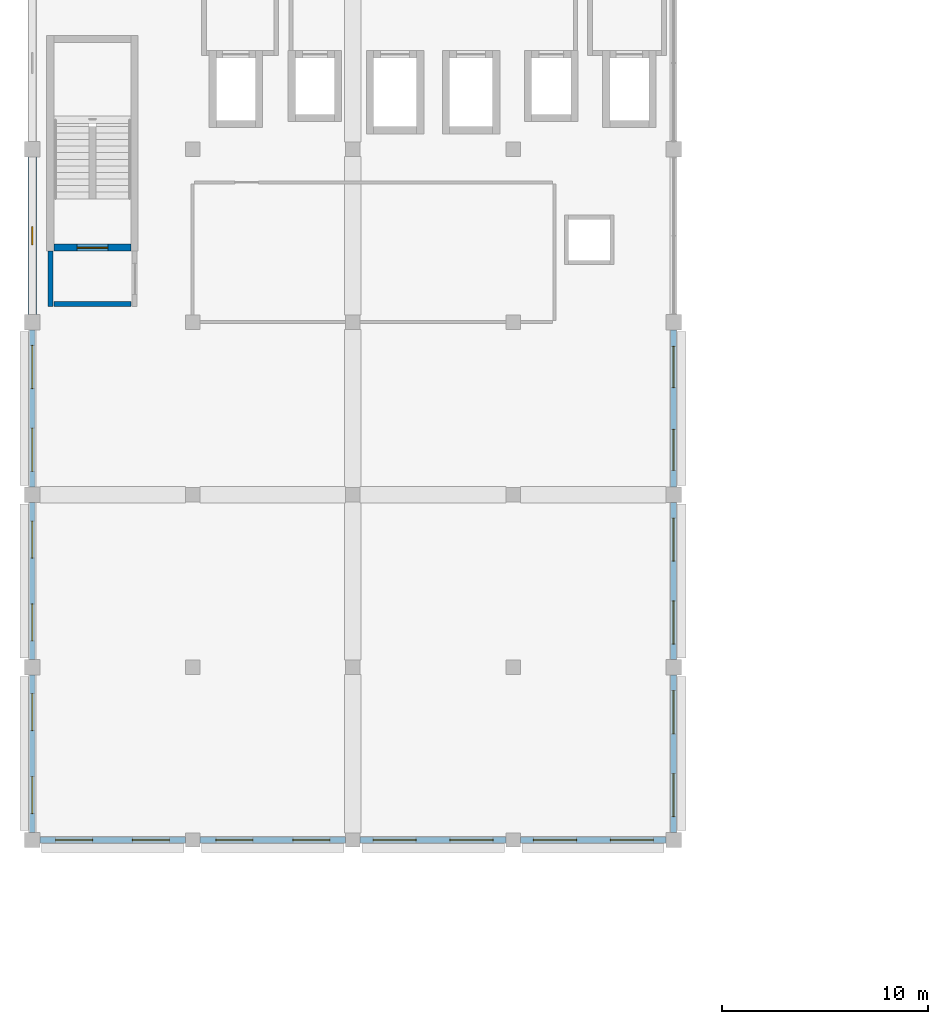
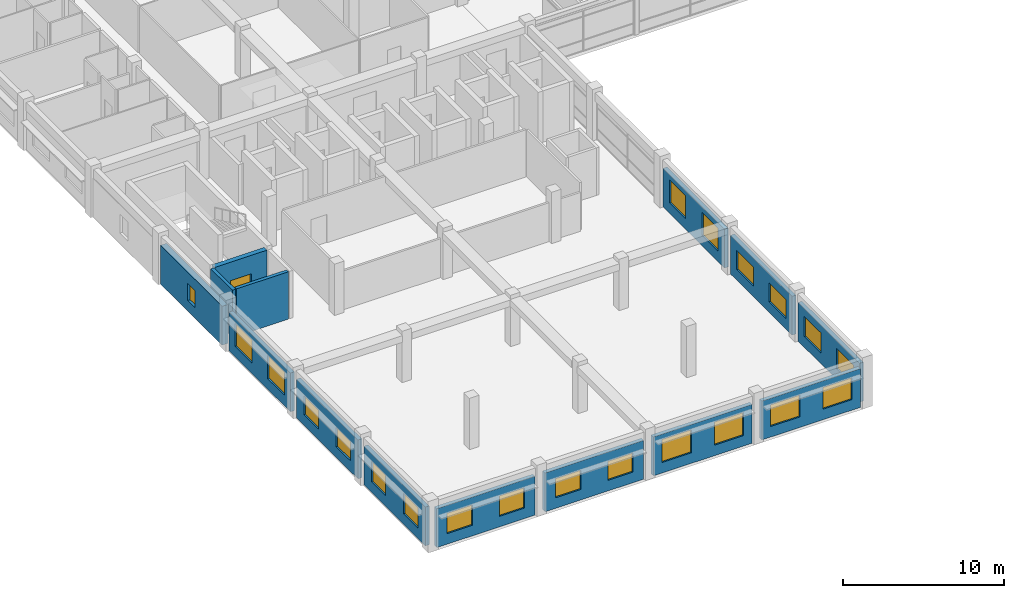
# One storey, part 47 of 72: 21 windows, 14 walls, 1 door, 22 openings.
"""IFC4 building model written with IfcOpenShell, lengths in metres."""

import ifcopenshell
import ifcopenshell.guid

model = None  # the IFC model being written
_history = None  # IfcOwnerHistory: only IFC2X3 demands one
_inside = {}  # id of a spatial element -> (the spatial element, [elements in it])
_under = {}  # id of a project, library or spatial element -> (it, [spatial elements below it])
_declared = {}  # id of a project -> (the project, [libraries it declares])
_typed = {}  # id of a type object -> (the type object, [elements of that type])
_made_of = {}  # id of a material, layer set ... -> (it, [elements and type objects made of it])


def new_model(schema):
    """Start an empty IFC model of exactly this schema.

    Asked for "IFC4X3", IfcOpenShell would pick the latest addendum, in which some entities
    have other attributes; the version numbers below select the first issue.
    IFC2X3 requires an IfcOwnerHistory on every rooted entity: one is made here for all.
    """
    global model, _history
    if schema == "IFC4X3":
        model = ifcopenshell.file(schema_version=(4, 3, 0, 0))
    else:
        model = ifcopenshell.file(schema=schema)
    _inside.clear()
    _under.clear()
    _declared.clear()
    _typed.clear()
    _made_of.clear()
    _history = None
    if model.schema == "IFC2X3":
        org = make("IfcOrganization", Name="unknown")
        user = make(
            "IfcPersonAndOrganization",
            ThePerson=make("IfcPerson", FamilyName="unknown"),
            TheOrganization=org,
        )
        app = make(
            "IfcApplication",
            ApplicationDeveloper=org,
            Version="unknown",
            ApplicationFullName="unknown",
            ApplicationIdentifier="unknown",
        )
        _history = make(
            "IfcOwnerHistory",
            OwningUser=user,
            OwningApplication=app,
            ChangeAction="ADDED",
            CreationDate=0,
        )
    return model


def make(cls, **values):
    """One entity of the class cls with the attributes given. An attribute that is None is left unset."""
    return model.create_entity(
        cls, **{name: value for name, value in values.items() if value is not None}
    )


def rooted(cls, **values):
    """An entity with a GlobalId (a new one), such as an element, a storey or a relation."""
    return make(cls, GlobalId=ifcopenshell.guid.new(), OwnerHistory=_history, **values)


def si_unit(unit_type, name, prefix=None):
    """IfcSIUnit, for example si_unit("LENGTHUNIT", "METRE", prefix="MILLI")."""
    return make("IfcSIUnit", UnitType=unit_type, Prefix=prefix, Name=name)


def assignment(units):
    """IfcUnitAssignment: the units of a project."""
    return None if units is None else make("IfcUnitAssignment", Units=units)


def point(xyz):
    """IfcCartesianPoint."""
    return None if xyz is None else make("IfcCartesianPoint", Coordinates=xyz)


def direction(xyz):
    """IfcDirection."""
    return None if xyz is None else make("IfcDirection", DirectionRatios=xyz)


def frame(location, z_axis=None, x_axis=None):
    """IfcAxis2Placement3D, a coordinate frame: its origin and axes. An axis left out is left unset."""
    return make(
        "IfcAxis2Placement3D",
        Location=point(location),
        Axis=direction(z_axis),
        RefDirection=direction(x_axis),
    )


def frame_2d(location, x_axis=None):
    """IfcAxis2Placement2D, a coordinate frame in the plane: its origin and x axis."""
    return make(
        "IfcAxis2Placement2D", Location=point(location), RefDirection=direction(x_axis)
    )


def origin():
    """The frame at (0, 0, 0) with its axes left unset."""
    return frame((0.0, 0.0, 0.0))


def place(relative_to, where):
    """IfcLocalPlacement: puts the frame where relative to a parent placement (None: the world)."""
    return make(
        "IfcLocalPlacement", PlacementRelTo=relative_to, RelativePlacement=where
    )


def context(
    kind, dimensions, precision=None, world=None, true_north=None, identifier=None
):
    """IfcGeometricRepresentationContext, for example the 3D "Model" context."""
    return make(
        "IfcGeometricRepresentationContext",
        ContextIdentifier=identifier,
        ContextType=kind,
        CoordinateSpaceDimension=dimensions,
        Precision=precision,
        WorldCoordinateSystem=world,
        TrueNorth=true_north,
    )


def subcontext(parent, identifier, kind, view, scale=None):
    """IfcGeometricRepresentationSubContext, for example "Body" below "Model"."""
    return make(
        "IfcGeometricRepresentationSubContext",
        ContextIdentifier=identifier,
        ContextType=kind,
        ParentContext=parent,
        TargetScale=scale,
        TargetView=view,
    )


def project(units=None, contexts=None):
    """IfcProject with its units and contexts."""
    return rooted(
        "IfcProject",
        Name="project",
        RepresentationContexts=contexts,
        UnitsInContext=assignment(units),
    )


def spatial(cls, under=None, at=None, **own):
    """A site, building, storey or space (cls), placed at a placement, below another one or the project."""
    s = rooted(cls, ObjectPlacement=at, **own)
    if under is not None:
        _under.setdefault(under.id(), (under, []))[1].append(s)
    return s


def profile(cls, at=None, kind="AREA", **sizes):
    """A parametric profile (cls). Its sizes go by their IFC names, for example OverallWidth=200.0."""
    return make(cls, ProfileType=kind, Position=at, **sizes)


def rectangle(**sizes):
    """IfcRectangleProfileDef."""
    return profile("IfcRectangleProfileDef", **sizes)


def extrude(swept, where, along, depth):
    """IfcExtrudedAreaSolid: the profile swept, set in the frame where, extruded along a direction by depth."""
    return make(
        "IfcExtrudedAreaSolid",
        SweptArea=swept,
        Position=where,
        ExtrudedDirection=direction(along),
        Depth=depth,
    )


def shape(context_of_items, identifier, shape_type, items):
    """IfcShapeRepresentation: the items that make up one representation, for example the "Body"."""
    return make(
        "IfcShapeRepresentation",
        ContextOfItems=context_of_items,
        RepresentationIdentifier=identifier,
        RepresentationType=shape_type,
        Items=items,
    )


def material(Name=None, Category=None):
    """IfcMaterial."""
    return make("IfcMaterial", Name=Name, Category=Category)


def layer(
    of_material, thickness, ventilated=None, Name=None, Category=None, Priority=None
):
    """IfcMaterialLayer: one layer of a wall or slab, of a material (None: an air gap)."""
    return make(
        "IfcMaterialLayer",
        Material=of_material,
        LayerThickness=thickness,
        IsVentilated=ventilated,
        Name=Name,
        Category=Category,
        Priority=Priority,
    )


def layer_set(layers, Name=None):
    """IfcMaterialLayerSet."""
    return make("IfcMaterialLayerSet", MaterialLayers=layers, LayerSetName=Name)


def made_of(thing, what):
    """Note that an element or type object is made of a material, layer set ...; save() writes the relation."""
    if what is not None:
        _made_of.setdefault(what.id(), (what, []))[1].append(thing)
    return thing


def type_object(cls, material=None, **own):
    """A type object (cls), such as IfcWallType, which elements share."""
    return made_of(rooted(cls, **own), material)


def element(
    cls,
    number,
    at=None,
    inside=None,
    cuts=None,
    type_object=None,
    material=None,
    context=None,
    identifier="Body",
    shape_type=None,
    held_by="IfcProductDefinitionShape",
    body=None,
    shapes=None,
    **own,
):
    """One element of the class cls, such as IfcWall. Its Tag is "e" and its number.

    at: its placement. inside: the storey or other place that contains it. cuts: it is an
    opening in that element (IfcRelVoidsElement). A single representation is given by context,
    identifier, shape_type and body (its items); several are given by shapes. held_by: the class
    of the entity that holds the representations. save() writes the other relations.
    """
    e = rooted(cls, Tag="e%d" % number, ObjectPlacement=at, **own)
    if body is not None:
        shapes = [shape(context, identifier, shape_type, body)]
    if shapes is not None:
        e.Representation = make(held_by, Representations=shapes)
    if inside is not None:
        _inside.setdefault(inside.id(), (inside, []))[1].append(e)
    if cuts is not None:
        rooted(
            "IfcRelVoidsElement", RelatingBuildingElement=cuts, RelatedOpeningElement=e
        )
    if type_object is not None:
        _typed.setdefault(type_object.id(), (type_object, []))[1].append(e)
    return made_of(e, material)


def fill(opening, filler):
    """IfcRelFillsElement: the door or window that sits in an opening."""
    return rooted(
        "IfcRelFillsElement",
        RelatingOpeningElement=opening,
        RelatedBuildingElement=filler,
    )


def aggregate(whole, parts):
    """IfcRelAggregates: a whole, such as a stair, and the parts it consists of."""
    return rooted("IfcRelAggregates", RelatingObject=whole, RelatedObjects=parts)


def save(model, path):
    """Write the relations noted so far, then the file.

    IfcRelAggregates (storeys below a building ...), IfcRelContainedInSpatialStructure (elements
    in a storey), IfcRelDefinesByType, IfcRelAssociatesMaterial and IfcRelDeclares: one each for
    every whole, place, type object, material and project.
    """
    for whole, parts in _under.values():
        aggregate(whole, parts)
    for where, things in _inside.values():
        rooted(
            "IfcRelContainedInSpatialStructure",
            RelatedElements=things,
            RelatingStructure=where,
        )
    for kind, things in _typed.values():
        rooted("IfcRelDefinesByType", RelatedObjects=things, RelatingType=kind)
    for what, things in _made_of.values():
        rooted("IfcRelAssociatesMaterial", RelatedObjects=things, RelatingMaterial=what)
    for by, libraries in _declared.values():
        rooted("IfcRelDeclares", RelatingContext=by, RelatedDefinitions=libraries)
    model.write(path)


model = new_model("IFC4")

# Units and contexts
model_context = context("Model", 3, precision=1e-05, world=origin(), true_north=direction((0.0, 1.0)))
body_context = subcontext(model_context, "Body", "Model", "MODEL_VIEW")
ifc_project = project(units=[si_unit("LENGTHUNIT", "METRE"), si_unit("AREAUNIT", "SQUARE_METRE"), si_unit("VOLUMEUNIT", "CUBIC_METRE"), si_unit("PLANEANGLEUNIT", "RADIAN"), si_unit("MASSUNIT", "GRAM", prefix="KILO"), si_unit("THERMODYNAMICTEMPERATUREUNIT", "KELVIN"), si_unit("POWERUNIT", "WATT")], contexts=[model_context])

# Site, building, storey
site_placement = place(None, origin())
site = spatial("IfcSite", under=ifc_project, at=site_placement, CompositionType="ELEMENT")
building_placement = place(site_placement, origin())
building = spatial("IfcBuilding", under=site, at=building_placement, Name="Srebrne Nadtorze General Hospital", CompositionType="ELEMENT")
storey_placement = place(building_placement, frame((0.0, 0.0, 22.199951171875)))
storey = spatial("IfcBuildingStorey", under=building, at=storey_placement, Name="L05", CompositionType="ELEMENT", Elevation=22.199951171875)

# Wall, opening, window
ifc_material_1 = material(Name="Concrete C40/50", Category="concrete")
ifc_layer_1 = layer(ifc_material_1, 0.419921875)
ifc_layer_set_1 = layer_set([ifc_layer_1], Name="Concrete C40/50")
wall_type_1 = type_object("IfcWallType", Name="Acoustic buffer wall 420", PredefinedType="SOLIDWALL", material=ifc_layer_set_1)
wall_1_placement = place(storey_placement, frame((23.39990234375, 33.97509765625, 0.0), z_axis=(0.0, 0.0, 1.0), x_axis=(0.0, 1.0, 0.0)))
wall_1 = element("IfcWall", 1, at=wall_1_placement, inside=storey, type_object=wall_type_1, Name="Exterior wall WL-ENV-L05-0427", PredefinedType="SOLIDWALL", context=body_context, shape_type="SweptSolid", body=[
    extrude(rectangle(XDim=7.64990234375, YDim=0.419921875, at=frame_2d((3.824951171875, 0.0))), origin(), (0.0, 0.0, 1.0), 2.949951171875),
])
opening_1_placement = place(wall_1_placement, frame((3.375, 0.0, 0.800048828125)))
opening_1 = element("IfcOpeningElement", 2, at=opening_1_placement, cuts=wall_1, Name="Opening WN-L05-0685", PredefinedType="OPENING", context=body_context, shape_type="SweptSolid", body=[
    extrude(rectangle(XDim=0.89990234375, YDim=1.300048828125, at=frame_2d((0.449951171875, 0.64990234375))), frame((0.0, 0.221923828125, 0.0), z_axis=(0.0, -1.0, 0.0), x_axis=(1.0, 0.0, 0.0)), (0.0, 0.0, 1.0), 0.44384765625),
])
ifc_material_2 = material(Name="Triple Low-E Glazing", Category="glass")
window_type_1 = type_object("IfcWindowType", Name="Punched clinical window 900x1300", PartitioningType="SINGLE_PANEL", PredefinedType="WINDOW", material=ifc_material_2)
window_1_placement = place(opening_1_placement, origin())
window_1 = element("IfcWindow", 3, at=window_1_placement, inside=storey, type_object=window_type_1, Name="Clinical window WN-L05-0685", OverallHeight=1.300048828125, OverallWidth=0.89990234375, PartitioningType="SINGLE_PANEL", PredefinedType="WINDOW", context=body_context, shape_type="SweptSolid", body=[
    extrude(rectangle(XDim=0.89990234375, YDim=1.300048828125, at=frame_2d((0.449951171875, 0.64990234375))), frame((0.0, 0.030029296875, 0.0), z_axis=(0.0, -1.0, 0.0), x_axis=(1.0, 0.0, 0.0)), (0.0, 0.0, 1.0), 0.06005859375),
])
fill(opening_1, window_1)

# Walls
ifc_material_3 = material(Name="Gypsum Healthcare Partition")
ifc_layer_2 = layer(ifc_material_3, 0.239990234375)
ifc_layer_set_2 = layer_set([ifc_layer_2], Name="Gypsum Healthcare Partition")
wall_type_2 = type_object("IfcWallType", Name="Corridor fire wall 240", PredefinedType="STANDARD", material=ifc_layer_set_2)
wall_2_placement = place(storey_placement, frame((24.27490234375, 34.35498046875, 0.0), z_axis=(0.0, 0.0, 1.0), x_axis=(0.0, 1.0, 0.0)))
element("IfcWall", 4, at=wall_2_placement, inside=storey, type_object=wall_type_2, Name="Fire lobby wall ST-01 WL-INT-L05-0341", PredefinedType="STANDARD", context=body_context, shape_type="SweptSolid", body=[
    extrude(rectangle(XDim=2.695068359375, YDim=0.239990234375, at=frame_2d((1.34765625, 0.0))), origin(), (0.0, 0.0, 1.0), 3.60009765625),
])
wall_3_placement = place(storey_placement, frame((24.449951171875, 34.47509765625, 0.0), z_axis=(0.0, 0.0, 1.0), x_axis=(1.0, 0.0, 0.0)))
element("IfcWall", 5, at=wall_3_placement, inside=storey, type_object=wall_type_2, Name="Fire lobby entry wall ST-01 WL-INT-L05-0343", PredefinedType="STANDARD", context=body_context, shape_type="SweptSolid", body=[
    extrude(rectangle(XDim=3.75, YDim=0.239990234375, at=frame_2d((1.875, 0.0))), origin(), (0.0, 0.0, 1.0), 3.60009765625),
])

# Wall, opening, door
ifc_material_4 = material(Name="Concrete C40/50", Category="concrete")
ifc_layer_3 = layer(ifc_material_4, 0.35009765625)
ifc_layer_set_3 = layer_set([ifc_layer_3], Name="Concrete C40/50")
wall_type_3 = type_object("IfcWallType", Name="Shear core wall 350", PredefinedType="SHEAR", material=ifc_layer_set_3)
wall_4_placement = place(storey_placement, frame((24.449951171875, 37.22509765625, 0.0), z_axis=(0.0, 0.0, 1.0), x_axis=(1.0, 0.0, 0.0)))
wall_4 = element("IfcWall", 6, at=wall_4_placement, inside=storey, type_object=wall_type_3, Name="Stairwell fire wall ST-01 WL-INT-L05-0340", PredefinedType="SHEAR", context=body_context, shape_type="SweptSolid", body=[
    extrude(rectangle(XDim=3.75, YDim=0.35009765625, at=frame_2d((1.875, 0.0))), origin(), (0.0, 0.0, 1.0), 3.60009765625),
])
opening_2_placement = place(wall_4_placement, frame((1.125, 0.0, 0.0)))
opening_2 = element("IfcOpeningElement", 7, at=opening_2_placement, cuts=wall_4, Name="Opening D-L05-0085", PredefinedType="OPENING", context=body_context, shape_type="SweptSolid", body=[
    extrude(rectangle(XDim=1.5, YDim=2.199951171875, at=frame_2d((0.75, 1.10009765625))), frame((0.0, 0.18701171875, 0.0), z_axis=(0.0, -1.0, 0.0), x_axis=(1.0, 0.0, 0.0)), (0.0, 0.0, 1.0), 0.3740234375),
])
ifc_material_5 = material(Name="Anodised Aluminium", Category="aluminium")
door_type = type_object("IfcDoorType", Name="Double leaf door 1500x2200", OperationType="DOUBLE_DOOR_SINGLE_SWING", PredefinedType="DOOR", material=ifc_material_5)
door_placement = place(opening_2_placement, origin())
door = element("IfcDoor", 8, at=door_placement, inside=storey, type_object=door_type, Name="Protected stair door ST-01 D-L05-0085", OperationType="DOUBLE_DOOR_SINGLE_SWING", OverallHeight=2.199951171875, OverallWidth=1.5, PredefinedType="DOOR", context=body_context, shape_type="SweptSolid", body=[
    extrude(rectangle(XDim=1.5, YDim=2.199951171875, at=frame_2d((0.75, 1.10009765625))), frame((0.0, 0.02490234375, 0.0), z_axis=(0.0, -1.0, 0.0), x_axis=(1.0, 0.0, 0.0)), (0.0, 0.0, 1.0), 0.050048828125),
])
fill(opening_2, door)

# Wall, openings, windows
ifc_material_6 = material(Name="Concrete C35/45 precast", Category="concrete")
ifc_layer_4 = layer(ifc_material_6, 0.280029296875)
ifc_layer_set_4 = layer_set([ifc_layer_4], Name="Concrete C35/45 precast")
wall_type_4 = type_object("IfcWallType", Name="Spandrel wall 280", PredefinedType="STANDARD", material=ifc_layer_set_4)
wall_5_placement = place(storey_placement, frame((23.77490234375, 8.39990234375, 0.0), z_axis=(0.0, 0.0, 1.0), x_axis=(1.0, 0.0, 0.0)))
wall_5 = element("IfcWall", 9, at=wall_5_placement, inside=storey, type_object=wall_type_4, Name="Exterior wall WL-ENV-L05-0410", PredefinedType="STANDARD", context=body_context, shape_type="SweptSolid", body=[
    extrude(rectangle(XDim=7.0751953125, YDim=0.280029296875, at=frame_2d((3.53759765625, 0.0))), origin(), (0.0, 0.0, 1.0), 2.949951171875),
])
opening_3_placement = place(wall_5_placement, frame((0.7529296875, 0.0, 0.800048828125)))
opening_3 = element("IfcOpeningElement", 10, at=opening_3_placement, cuts=wall_5, Name="Opening WN-L05-0651", PredefinedType="OPENING", context=body_context, shape_type="SweptSolid", body=[
    extrude(rectangle(XDim=1.800048828125, YDim=1.550048828125, at=frame_2d((0.89990234375, 0.77490234375))), frame((0.0, 0.15185546875, 0.0), z_axis=(0.0, -1.0, 0.0), x_axis=(1.0, 0.0, 0.0)), (0.0, 0.0, 1.0), 0.303955078125),
])
opening_4_placement = place(wall_5_placement, frame((4.4970703125, 0.0, 0.800048828125)))
opening_4 = element("IfcOpeningElement", 11, at=opening_4_placement, cuts=wall_5, Name="Opening WN-L05-0652", PredefinedType="OPENING", context=body_context, shape_type="SweptSolid", body=[
    extrude(rectangle(XDim=1.800048828125, YDim=1.550048828125, at=frame_2d((0.89990234375, 0.77490234375))), frame((0.0, 0.15185546875, 0.0), z_axis=(0.0, -1.0, 0.0), x_axis=(1.0, 0.0, 0.0)), (0.0, 0.0, 1.0), 0.303955078125),
])
ifc_material_7 = material(Name="Triple Low-E Glazing", Category="glass")
window_type_2 = type_object("IfcWindowType", Name="Punched clinical window 1800x1550", PartitioningType="DOUBLE_PANEL_VERTICAL", PredefinedType="WINDOW", material=ifc_material_7)
window_2_placement = place(opening_3_placement, origin())
window_2 = element("IfcWindow", 12, at=window_2_placement, inside=storey, type_object=window_type_2, Name="Clinical window WN-L05-0651", OverallHeight=1.550048828125, OverallWidth=1.800048828125, PartitioningType="DOUBLE_PANEL_VERTICAL", PredefinedType="WINDOW", context=body_context, shape_type="SweptSolid", body=[
    extrude(rectangle(XDim=1.800048828125, YDim=1.550048828125, at=frame_2d((0.89990234375, 0.77490234375))), frame((0.0, 0.030029296875, 0.0), z_axis=(0.0, -1.0, 0.0), x_axis=(1.0, 0.0, 0.0)), (0.0, 0.0, 1.0), 0.06005859375),
])
fill(opening_3, window_2)
window_3_placement = place(opening_4_placement, origin())
window_3 = element("IfcWindow", 13, at=window_3_placement, inside=storey, type_object=window_type_2, Name="Clinical window WN-L05-0652", OverallHeight=1.550048828125, OverallWidth=1.800048828125, PartitioningType="DOUBLE_PANEL_VERTICAL", PredefinedType="WINDOW", context=body_context, shape_type="SweptSolid", body=[
    extrude(rectangle(XDim=1.800048828125, YDim=1.550048828125, at=frame_2d((0.89990234375, 0.77490234375))), frame((0.0, 0.030029296875, 0.0), z_axis=(0.0, -1.0, 0.0), x_axis=(1.0, 0.0, 0.0)), (0.0, 0.0, 1.0), 0.06005859375),
])
fill(opening_4, window_3)

wall_6_placement = place(storey_placement, frame((31.550048828125, 8.39990234375, 0.0), z_axis=(0.0, 0.0, 1.0), x_axis=(1.0, 0.0, 0.0)))
wall_6 = element("IfcWall", 14, at=wall_6_placement, inside=storey, type_object=wall_type_4, Name="Exterior wall WL-ENV-L05-0411", PredefinedType="STANDARD", context=body_context, shape_type="SweptSolid", body=[
    extrude(rectangle(XDim=7.099853515625, YDim=0.280029296875, at=frame_2d((3.5498046875, 0.0))), origin(), (0.0, 0.0, 1.0), 2.949951171875),
])
opening_5_placement = place(wall_6_placement, frame((0.778076171875, 0.0, 0.800048828125)))
opening_5 = element("IfcOpeningElement", 15, at=opening_5_placement, cuts=wall_6, Name="Opening WN-L05-0653", PredefinedType="OPENING", context=body_context, shape_type="SweptSolid", body=[
    extrude(rectangle(XDim=1.800048828125, YDim=1.449951171875, at=frame_2d((0.89990234375, 0.72509765625))), frame((0.0, 0.15185546875, 0.0), z_axis=(0.0, -1.0, 0.0), x_axis=(1.0, 0.0, 0.0)), (0.0, 0.0, 1.0), 0.303955078125),
])
opening_6_placement = place(wall_6_placement, frame((4.52197265625, 0.0, 0.800048828125)))
opening_6 = element("IfcOpeningElement", 16, at=opening_6_placement, cuts=wall_6, Name="Opening WN-L05-0654", PredefinedType="OPENING", context=body_context, shape_type="SweptSolid", body=[
    extrude(rectangle(XDim=1.800048828125, YDim=1.449951171875, at=frame_2d((0.89990234375, 0.72509765625))), frame((0.0, 0.15185546875, 0.0), z_axis=(0.0, -1.0, 0.0), x_axis=(1.0, 0.0, 0.0)), (0.0, 0.0, 1.0), 0.303955078125),
])
ifc_material_8 = material(Name="Triple Low-E Glazing", Category="glass")
window_type_3 = type_object("IfcWindowType", Name="Punched clinical window 1800x1450", PartitioningType="DOUBLE_PANEL_VERTICAL", PredefinedType="WINDOW", material=ifc_material_8)
window_4_placement = place(opening_5_placement, origin())
window_4 = element("IfcWindow", 17, at=window_4_placement, inside=storey, type_object=window_type_3, Name="Clinical window WN-L05-0653", OverallHeight=1.449951171875, OverallWidth=1.800048828125, PartitioningType="DOUBLE_PANEL_VERTICAL", PredefinedType="WINDOW", context=body_context, shape_type="SweptSolid", body=[
    extrude(rectangle(XDim=1.800048828125, YDim=1.449951171875, at=frame_2d((0.89990234375, 0.72509765625))), frame((0.0, 0.030029296875, 0.0), z_axis=(0.0, -1.0, 0.0), x_axis=(1.0, 0.0, 0.0)), (0.0, 0.0, 1.0), 0.06005859375),
])
fill(opening_5, window_4)
window_5_placement = place(opening_6_placement, origin())
window_5 = element("IfcWindow", 18, at=window_5_placement, inside=storey, type_object=window_type_3, Name="Clinical window WN-L05-0654", OverallHeight=1.449951171875, OverallWidth=1.800048828125, PartitioningType="DOUBLE_PANEL_VERTICAL", PredefinedType="WINDOW", context=body_context, shape_type="SweptSolid", body=[
    extrude(rectangle(XDim=1.800048828125, YDim=1.449951171875, at=frame_2d((0.89990234375, 0.72509765625))), frame((0.0, 0.030029296875, 0.0), z_axis=(0.0, -1.0, 0.0), x_axis=(1.0, 0.0, 0.0)), (0.0, 0.0, 1.0), 0.06005859375),
])
fill(opening_6, window_5)

wall_7_placement = place(storey_placement, frame((39.35009765625, 8.39990234375, 0.0), z_axis=(0.0, 0.0, 1.0), x_axis=(1.0, 0.0, 0.0)))
wall_7 = element("IfcWall", 19, at=wall_7_placement, inside=storey, type_object=wall_type_4, Name="Exterior wall WL-ENV-L05-0412", PredefinedType="STANDARD", context=body_context, shape_type="SweptSolid", body=[
    extrude(rectangle(XDim=7.099853515625, YDim=0.280029296875, at=frame_2d((3.5498046875, 0.0))), origin(), (0.0, 0.0, 1.0), 2.949951171875),
])
opening_7_placement = place(wall_7_placement, frame((0.6279296875, 0.0, 0.800048828125)))
opening_7 = element("IfcOpeningElement", 20, at=opening_7_placement, cuts=wall_7, Name="Opening WN-L05-0655", PredefinedType="OPENING", context=body_context, shape_type="SweptSolid", body=[
    extrude(rectangle(XDim=2.10009765625, YDim=1.75, at=frame_2d((1.050048828125, 0.875))), frame((0.0, 0.15185546875, 0.0), z_axis=(0.0, -1.0, 0.0), x_axis=(1.0, 0.0, 0.0)), (0.0, 0.0, 1.0), 0.303955078125),
])
opening_8_placement = place(wall_7_placement, frame((4.3720703125, 0.0, 0.800048828125)))
opening_8 = element("IfcOpeningElement", 21, at=opening_8_placement, cuts=wall_7, Name="Opening WN-L05-0656", PredefinedType="OPENING", context=body_context, shape_type="SweptSolid", body=[
    extrude(rectangle(XDim=2.10009765625, YDim=1.75, at=frame_2d((1.050048828125, 0.875))), frame((0.0, 0.15185546875, 0.0), z_axis=(0.0, -1.0, 0.0), x_axis=(1.0, 0.0, 0.0)), (0.0, 0.0, 1.0), 0.303955078125),
])
ifc_material_9 = material(Name="Triple Low-E Glazing", Category="glass")
window_type_4 = type_object("IfcWindowType", Name="Punched clinical window 2100x1750", PartitioningType="DOUBLE_PANEL_VERTICAL", PredefinedType="WINDOW", material=ifc_material_9)
window_6_placement = place(opening_7_placement, origin())
window_6 = element("IfcWindow", 22, at=window_6_placement, inside=storey, type_object=window_type_4, Name="Clinical window WN-L05-0655", OverallHeight=1.75, OverallWidth=2.10009765625, PartitioningType="DOUBLE_PANEL_VERTICAL", PredefinedType="WINDOW", context=body_context, shape_type="SweptSolid", body=[
    extrude(rectangle(XDim=2.10009765625, YDim=1.75, at=frame_2d((1.050048828125, 0.875))), frame((0.0, 0.030029296875, 0.0), z_axis=(0.0, -1.0, 0.0), x_axis=(1.0, 0.0, 0.0)), (0.0, 0.0, 1.0), 0.06005859375),
])
fill(opening_7, window_6)
window_7_placement = place(opening_8_placement, origin())
window_7 = element("IfcWindow", 23, at=window_7_placement, inside=storey, type_object=window_type_4, Name="Clinical window WN-L05-0656", OverallHeight=1.75, OverallWidth=2.10009765625, PartitioningType="DOUBLE_PANEL_VERTICAL", PredefinedType="WINDOW", context=body_context, shape_type="SweptSolid", body=[
    extrude(rectangle(XDim=2.10009765625, YDim=1.75, at=frame_2d((1.050048828125, 0.875))), frame((0.0, 0.030029296875, 0.0), z_axis=(0.0, -1.0, 0.0), x_axis=(1.0, 0.0, 0.0)), (0.0, 0.0, 1.0), 0.06005859375),
])
fill(opening_8, window_7)

wall_8_placement = place(storey_placement, frame((47.14990234375, 8.39990234375, 0.0), z_axis=(0.0, 0.0, 1.0), x_axis=(1.0, 0.0, 0.0)))
wall_8 = element("IfcWall", 24, at=wall_8_placement, inside=storey, type_object=wall_type_4, Name="Exterior wall WL-ENV-L05-0413", PredefinedType="STANDARD", context=body_context, shape_type="SweptSolid", body=[
    extrude(rectangle(XDim=7.0751953125, YDim=0.280029296875, at=frame_2d((3.53759765625, 0.0))), origin(), (0.0, 0.0, 1.0), 2.949951171875),
])
opening_9_placement = place(wall_8_placement, frame((0.6279296875, 0.0, 0.800048828125)))
opening_9 = element("IfcOpeningElement", 25, at=opening_9_placement, cuts=wall_8, Name="Opening WN-L05-0657", PredefinedType="OPENING", context=body_context, shape_type="SweptSolid", body=[
    extrude(rectangle(XDim=2.10009765625, YDim=1.64990234375, at=frame_2d((1.050048828125, 0.824951171875))), frame((0.0, 0.15185546875, 0.0), z_axis=(0.0, -1.0, 0.0), x_axis=(1.0, 0.0, 0.0)), (0.0, 0.0, 1.0), 0.303955078125),
])
opening_10_placement = place(wall_8_placement, frame((4.3720703125, 0.0, 0.800048828125)))
opening_10 = element("IfcOpeningElement", 26, at=opening_10_placement, cuts=wall_8, Name="Opening WN-L05-0658", PredefinedType="OPENING", context=body_context, shape_type="SweptSolid", body=[
    extrude(rectangle(XDim=2.10009765625, YDim=1.64990234375, at=frame_2d((1.050048828125, 0.824951171875))), frame((0.0, 0.15185546875, 0.0), z_axis=(0.0, -1.0, 0.0), x_axis=(1.0, 0.0, 0.0)), (0.0, 0.0, 1.0), 0.303955078125),
])
ifc_material_10 = material(Name="Triple Low-E Glazing", Category="glass")
window_type_5 = type_object("IfcWindowType", Name="Punched clinical window 2100x1650", PartitioningType="DOUBLE_PANEL_VERTICAL", PredefinedType="WINDOW", material=ifc_material_10)
window_8_placement = place(opening_9_placement, origin())
window_8 = element("IfcWindow", 27, at=window_8_placement, inside=storey, type_object=window_type_5, Name="Clinical window WN-L05-0657", OverallHeight=1.64990234375, OverallWidth=2.10009765625, PartitioningType="DOUBLE_PANEL_VERTICAL", PredefinedType="WINDOW", context=body_context, shape_type="SweptSolid", body=[
    extrude(rectangle(XDim=2.10009765625, YDim=1.64990234375, at=frame_2d((1.050048828125, 0.824951171875))), frame((0.0, 0.030029296875, 0.0), z_axis=(0.0, -1.0, 0.0), x_axis=(1.0, 0.0, 0.0)), (0.0, 0.0, 1.0), 0.06005859375),
])
fill(opening_9, window_8)
window_9_placement = place(opening_10_placement, origin())
window_9 = element("IfcWindow", 28, at=window_9_placement, inside=storey, type_object=window_type_5, Name="Clinical window WN-L05-0658", OverallHeight=1.64990234375, OverallWidth=2.10009765625, PartitioningType="DOUBLE_PANEL_VERTICAL", PredefinedType="WINDOW", context=body_context, shape_type="SweptSolid", body=[
    extrude(rectangle(XDim=2.10009765625, YDim=1.64990234375, at=frame_2d((1.050048828125, 0.824951171875))), frame((0.0, 0.030029296875, 0.0), z_axis=(0.0, -1.0, 0.0), x_axis=(1.0, 0.0, 0.0)), (0.0, 0.0, 1.0), 0.06005859375),
])
fill(opening_10, window_9)

wall_9_placement = place(storey_placement, frame((23.39990234375, 8.77490234375, 0.0), z_axis=(0.0, 0.0, 1.0), x_axis=(0.0, 1.0, 0.0)))
wall_9 = element("IfcWall", 29, at=wall_9_placement, inside=storey, type_object=wall_type_4, Name="Exterior wall WL-ENV-L05-0424", PredefinedType="STANDARD", context=body_context, shape_type="SweptSolid", body=[
    extrude(rectangle(XDim=7.650146484375, YDim=0.280029296875, at=frame_2d((3.8251953125, 0.0))), origin(), (0.0, 0.0, 1.0), 2.949951171875),
])
opening_11_placement = place(wall_9_placement, frame((0.908935546875, 0.0, 0.800048828125)))
opening_11 = element("IfcOpeningElement", 30, at=opening_11_placement, cuts=wall_9, Name="Opening WN-L05-0679", PredefinedType="OPENING", context=body_context, shape_type="SweptSolid", body=[
    extrude(rectangle(XDim=1.800048828125, YDim=1.550048828125, at=frame_2d((0.89990234375, 0.77490234375))), frame((0.0, 0.15185546875, 0.0), z_axis=(0.0, -1.0, 0.0), x_axis=(1.0, 0.0, 0.0)), (0.0, 0.0, 1.0), 0.303955078125),
])
opening_12_placement = place(wall_9_placement, frame((4.94091796875, 0.0, 0.800048828125)))
opening_12 = element("IfcOpeningElement", 31, at=opening_12_placement, cuts=wall_9, Name="Opening WN-L05-0680", PredefinedType="OPENING", context=body_context, shape_type="SweptSolid", body=[
    extrude(rectangle(XDim=1.800048828125, YDim=1.550048828125, at=frame_2d((0.89990234375, 0.77490234375))), frame((0.0, 0.15185546875, 0.0), z_axis=(0.0, -1.0, 0.0), x_axis=(1.0, 0.0, 0.0)), (0.0, 0.0, 1.0), 0.303955078125),
])
window_10_placement = place(opening_11_placement, origin())
window_10 = element("IfcWindow", 32, at=window_10_placement, inside=storey, type_object=window_type_2, Name="Clinical window WN-L05-0679", OverallHeight=1.550048828125, OverallWidth=1.800048828125, PartitioningType="DOUBLE_PANEL_VERTICAL", PredefinedType="WINDOW", context=body_context, shape_type="SweptSolid", body=[
    extrude(rectangle(XDim=1.800048828125, YDim=1.550048828125, at=frame_2d((0.89990234375, 0.77490234375))), frame((0.0, 0.030029296875, 0.0), z_axis=(0.0, -1.0, 0.0), x_axis=(1.0, 0.0, 0.0)), (0.0, 0.0, 1.0), 0.06005859375),
])
fill(opening_11, window_10)
window_11_placement = place(opening_12_placement, origin())
window_11 = element("IfcWindow", 33, at=window_11_placement, inside=storey, type_object=window_type_2, Name="Clinical window WN-L05-0680", OverallHeight=1.550048828125, OverallWidth=1.800048828125, PartitioningType="DOUBLE_PANEL_VERTICAL", PredefinedType="WINDOW", context=body_context, shape_type="SweptSolid", body=[
    extrude(rectangle(XDim=1.800048828125, YDim=1.550048828125, at=frame_2d((0.89990234375, 0.77490234375))), frame((0.0, 0.030029296875, 0.0), z_axis=(0.0, -1.0, 0.0), x_axis=(1.0, 0.0, 0.0)), (0.0, 0.0, 1.0), 0.06005859375),
])
fill(opening_12, window_11)

wall_10_placement = place(storey_placement, frame((23.39990234375, 17.175048828125, 0.0), z_axis=(0.0, 0.0, 1.0), x_axis=(0.0, 1.0, 0.0)))
wall_10 = element("IfcWall", 34, at=wall_10_placement, inside=storey, type_object=wall_type_4, Name="Exterior wall WL-ENV-L05-0425", PredefinedType="STANDARD", context=body_context, shape_type="SweptSolid", body=[
    extrude(rectangle(XDim=7.64990234375, YDim=0.280029296875, at=frame_2d((3.824951171875, 0.0))), origin(), (0.0, 0.0, 1.0), 2.949951171875),
])
opening_13_placement = place(wall_10_placement, frame((0.908935546875, 0.0, 0.800048828125)))
opening_13 = element("IfcOpeningElement", 35, at=opening_13_placement, cuts=wall_10, Name="Opening WN-L05-0681", PredefinedType="OPENING", context=body_context, shape_type="SweptSolid", body=[
    extrude(rectangle(XDim=1.800048828125, YDim=1.449951171875, at=frame_2d((0.89990234375, 0.72509765625))), frame((0.0, 0.15185546875, 0.0), z_axis=(0.0, -1.0, 0.0), x_axis=(1.0, 0.0, 0.0)), (0.0, 0.0, 1.0), 0.303955078125),
])
opening_14_placement = place(wall_10_placement, frame((4.94091796875, 0.0, 0.800048828125)))
opening_14 = element("IfcOpeningElement", 36, at=opening_14_placement, cuts=wall_10, Name="Opening WN-L05-0682", PredefinedType="OPENING", context=body_context, shape_type="SweptSolid", body=[
    extrude(rectangle(XDim=1.800048828125, YDim=1.449951171875, at=frame_2d((0.89990234375, 0.72509765625))), frame((0.0, 0.15185546875, 0.0), z_axis=(0.0, -1.0, 0.0), x_axis=(1.0, 0.0, 0.0)), (0.0, 0.0, 1.0), 0.303955078125),
])
window_12_placement = place(opening_13_placement, origin())
window_12 = element("IfcWindow", 37, at=window_12_placement, inside=storey, type_object=window_type_3, Name="Clinical window WN-L05-0681", OverallHeight=1.449951171875, OverallWidth=1.800048828125, PartitioningType="DOUBLE_PANEL_VERTICAL", PredefinedType="WINDOW", context=body_context, shape_type="SweptSolid", body=[
    extrude(rectangle(XDim=1.800048828125, YDim=1.449951171875, at=frame_2d((0.89990234375, 0.72509765625))), frame((0.0, 0.030029296875, 0.0), z_axis=(0.0, -1.0, 0.0), x_axis=(1.0, 0.0, 0.0)), (0.0, 0.0, 1.0), 0.06005859375),
])
fill(opening_13, window_12)
window_13_placement = place(opening_14_placement, origin())
window_13 = element("IfcWindow", 38, at=window_13_placement, inside=storey, type_object=window_type_3, Name="Clinical window WN-L05-0682", OverallHeight=1.449951171875, OverallWidth=1.800048828125, PartitioningType="DOUBLE_PANEL_VERTICAL", PredefinedType="WINDOW", context=body_context, shape_type="SweptSolid", body=[
    extrude(rectangle(XDim=1.800048828125, YDim=1.449951171875, at=frame_2d((0.89990234375, 0.72509765625))), frame((0.0, 0.030029296875, 0.0), z_axis=(0.0, -1.0, 0.0), x_axis=(1.0, 0.0, 0.0)), (0.0, 0.0, 1.0), 0.06005859375),
])
fill(opening_14, window_13)

wall_11_placement = place(storey_placement, frame((23.39990234375, 25.574951171875, 0.0), z_axis=(0.0, 0.0, 1.0), x_axis=(0.0, 1.0, 0.0)))
wall_11 = element("IfcWall", 39, at=wall_11_placement, inside=storey, type_object=wall_type_4, Name="Exterior wall WL-ENV-L05-0426", PredefinedType="STANDARD", context=body_context, shape_type="SweptSolid", body=[
    extrude(rectangle(XDim=7.650146484375, YDim=0.280029296875, at=frame_2d((3.8251953125, 0.0))), origin(), (0.0, 0.0, 1.0), 2.949951171875),
])
opening_15_placement = place(wall_11_placement, frame((0.759033203125, 0.0, 0.800048828125)))
opening_15 = element("IfcOpeningElement", 40, at=opening_15_placement, cuts=wall_11, Name="Opening WN-L05-0683", PredefinedType="OPENING", context=body_context, shape_type="SweptSolid", body=[
    extrude(rectangle(XDim=2.10009765625, YDim=1.75, at=frame_2d((1.050048828125, 0.875))), frame((0.0, 0.15185546875, 0.0), z_axis=(0.0, -1.0, 0.0), x_axis=(1.0, 0.0, 0.0)), (0.0, 0.0, 1.0), 0.303955078125),
])
opening_16_placement = place(wall_11_placement, frame((4.791015625, 0.0, 0.800048828125)))
opening_16 = element("IfcOpeningElement", 41, at=opening_16_placement, cuts=wall_11, Name="Opening WN-L05-0684", PredefinedType="OPENING", context=body_context, shape_type="SweptSolid", body=[
    extrude(rectangle(XDim=2.10009765625, YDim=1.75, at=frame_2d((1.050048828125, 0.875))), frame((0.0, 0.15185546875, 0.0), z_axis=(0.0, -1.0, 0.0), x_axis=(1.0, 0.0, 0.0)), (0.0, 0.0, 1.0), 0.303955078125),
])
window_14_placement = place(opening_15_placement, origin())
window_14 = element("IfcWindow", 42, at=window_14_placement, inside=storey, type_object=window_type_4, Name="Clinical window WN-L05-0683", OverallHeight=1.75, OverallWidth=2.10009765625, PartitioningType="DOUBLE_PANEL_VERTICAL", PredefinedType="WINDOW", context=body_context, shape_type="SweptSolid", body=[
    extrude(rectangle(XDim=2.10009765625, YDim=1.75, at=frame_2d((1.050048828125, 0.875))), frame((0.0, 0.030029296875, 0.0), z_axis=(0.0, -1.0, 0.0), x_axis=(1.0, 0.0, 0.0)), (0.0, 0.0, 1.0), 0.06005859375),
])
fill(opening_15, window_14)
window_15_placement = place(opening_16_placement, origin())
window_15 = element("IfcWindow", 43, at=window_15_placement, inside=storey, type_object=window_type_4, Name="Clinical window WN-L05-0684", OverallHeight=1.75, OverallWidth=2.10009765625, PartitioningType="DOUBLE_PANEL_VERTICAL", PredefinedType="WINDOW", context=body_context, shape_type="SweptSolid", body=[
    extrude(rectangle(XDim=2.10009765625, YDim=1.75, at=frame_2d((1.050048828125, 0.875))), frame((0.0, 0.030029296875, 0.0), z_axis=(0.0, -1.0, 0.0), x_axis=(1.0, 0.0, 0.0)), (0.0, 0.0, 1.0), 0.06005859375),
])
fill(opening_16, window_15)

wall_12_placement = place(storey_placement, frame((54.60009765625, 8.77490234375, 0.0), z_axis=(0.0, 0.0, 1.0), x_axis=(0.0, 1.0, 0.0)))
wall_12 = element("IfcWall", 44, at=wall_12_placement, inside=storey, type_object=wall_type_4, Name="Exterior wall WL-ENV-L05-0434", PredefinedType="STANDARD", context=body_context, shape_type="SweptSolid", body=[
    extrude(rectangle(XDim=7.650146484375, YDim=0.280029296875, at=frame_2d((3.8251953125, 0.0))), origin(), (0.0, 0.0, 1.0), 2.949951171875),
])
opening_17_placement = place(wall_12_placement, frame((0.759033203125, 0.0, 0.800048828125)))
opening_17 = element("IfcOpeningElement", 45, at=opening_17_placement, cuts=wall_12, Name="Opening WN-L05-0695", PredefinedType="OPENING", context=body_context, shape_type="SweptSolid", body=[
    extrude(rectangle(XDim=2.10009765625, YDim=1.550048828125, at=frame_2d((1.050048828125, 0.77490234375))), frame((0.0, 0.15185546875, 0.0), z_axis=(0.0, -1.0, 0.0), x_axis=(1.0, 0.0, 0.0)), (0.0, 0.0, 1.0), 0.303955078125),
])
opening_18_placement = place(wall_12_placement, frame((4.791015625, 0.0, 0.800048828125)))
opening_18 = element("IfcOpeningElement", 46, at=opening_18_placement, cuts=wall_12, Name="Opening WN-L05-0696", PredefinedType="OPENING", context=body_context, shape_type="SweptSolid", body=[
    extrude(rectangle(XDim=2.10009765625, YDim=1.550048828125, at=frame_2d((1.050048828125, 0.77490234375))), frame((0.0, 0.15185546875, 0.0), z_axis=(0.0, -1.0, 0.0), x_axis=(1.0, 0.0, 0.0)), (0.0, 0.0, 1.0), 0.303955078125),
])
ifc_material_11 = material(Name="Triple Low-E Glazing", Category="glass")
window_type_6 = type_object("IfcWindowType", Name="Punched clinical window 2100x1550", PartitioningType="DOUBLE_PANEL_VERTICAL", PredefinedType="WINDOW", material=ifc_material_11)
window_16_placement = place(opening_17_placement, origin())
window_16 = element("IfcWindow", 47, at=window_16_placement, inside=storey, type_object=window_type_6, Name="Clinical window WN-L05-0695", OverallHeight=1.550048828125, OverallWidth=2.10009765625, PartitioningType="DOUBLE_PANEL_VERTICAL", PredefinedType="WINDOW", context=body_context, shape_type="SweptSolid", body=[
    extrude(rectangle(XDim=2.10009765625, YDim=1.550048828125, at=frame_2d((1.050048828125, 0.77490234375))), frame((0.0, 0.030029296875, 0.0), z_axis=(0.0, -1.0, 0.0), x_axis=(1.0, 0.0, 0.0)), (0.0, 0.0, 1.0), 0.06005859375),
])
fill(opening_17, window_16)
window_17_placement = place(opening_18_placement, origin())
window_17 = element("IfcWindow", 48, at=window_17_placement, inside=storey, type_object=window_type_6, Name="Clinical window WN-L05-0696", OverallHeight=1.550048828125, OverallWidth=2.10009765625, PartitioningType="DOUBLE_PANEL_VERTICAL", PredefinedType="WINDOW", context=body_context, shape_type="SweptSolid", body=[
    extrude(rectangle(XDim=2.10009765625, YDim=1.550048828125, at=frame_2d((1.050048828125, 0.77490234375))), frame((0.0, 0.030029296875, 0.0), z_axis=(0.0, -1.0, 0.0), x_axis=(1.0, 0.0, 0.0)), (0.0, 0.0, 1.0), 0.06005859375),
])
fill(opening_18, window_17)

wall_13_placement = place(storey_placement, frame((54.60009765625, 17.175048828125, 0.0), z_axis=(0.0, 0.0, 1.0), x_axis=(0.0, 1.0, 0.0)))
wall_13 = element("IfcWall", 49, at=wall_13_placement, inside=storey, type_object=wall_type_4, Name="Exterior wall WL-ENV-L05-0435", PredefinedType="STANDARD", context=body_context, shape_type="SweptSolid", body=[
    extrude(rectangle(XDim=7.64990234375, YDim=0.280029296875, at=frame_2d((3.824951171875, 0.0))), origin(), (0.0, 0.0, 1.0), 2.949951171875),
])
opening_19_placement = place(wall_13_placement, frame((0.759033203125, 0.0, 0.800048828125)))
opening_19 = element("IfcOpeningElement", 50, at=opening_19_placement, cuts=wall_13, Name="Opening WN-L05-0697", PredefinedType="OPENING", context=body_context, shape_type="SweptSolid", body=[
    extrude(rectangle(XDim=2.10009765625, YDim=1.449951171875, at=frame_2d((1.050048828125, 0.72509765625))), frame((0.0, 0.15185546875, 0.0), z_axis=(0.0, -1.0, 0.0), x_axis=(1.0, 0.0, 0.0)), (0.0, 0.0, 1.0), 0.303955078125),
])
opening_20_placement = place(wall_13_placement, frame((4.791015625, 0.0, 0.800048828125)))
opening_20 = element("IfcOpeningElement", 51, at=opening_20_placement, cuts=wall_13, Name="Opening WN-L05-0698", PredefinedType="OPENING", context=body_context, shape_type="SweptSolid", body=[
    extrude(rectangle(XDim=2.10009765625, YDim=1.449951171875, at=frame_2d((1.050048828125, 0.72509765625))), frame((0.0, 0.15185546875, 0.0), z_axis=(0.0, -1.0, 0.0), x_axis=(1.0, 0.0, 0.0)), (0.0, 0.0, 1.0), 0.303955078125),
])
ifc_material_12 = material(Name="Triple Low-E Glazing", Category="glass")
window_type_7 = type_object("IfcWindowType", Name="Punched clinical window 2100x1450", PartitioningType="DOUBLE_PANEL_VERTICAL", PredefinedType="WINDOW", material=ifc_material_12)
window_18_placement = place(opening_19_placement, origin())
window_18 = element("IfcWindow", 52, at=window_18_placement, inside=storey, type_object=window_type_7, Name="Clinical window WN-L05-0697", OverallHeight=1.449951171875, OverallWidth=2.10009765625, PartitioningType="DOUBLE_PANEL_VERTICAL", PredefinedType="WINDOW", context=body_context, shape_type="SweptSolid", body=[
    extrude(rectangle(XDim=2.10009765625, YDim=1.449951171875, at=frame_2d((1.050048828125, 0.72509765625))), frame((0.0, 0.030029296875, 0.0), z_axis=(0.0, -1.0, 0.0), x_axis=(1.0, 0.0, 0.0)), (0.0, 0.0, 1.0), 0.06005859375),
])
fill(opening_19, window_18)
window_19_placement = place(opening_20_placement, origin())
window_19 = element("IfcWindow", 53, at=window_19_placement, inside=storey, type_object=window_type_7, Name="Clinical window WN-L05-0698", OverallHeight=1.449951171875, OverallWidth=2.10009765625, PartitioningType="DOUBLE_PANEL_VERTICAL", PredefinedType="WINDOW", context=body_context, shape_type="SweptSolid", body=[
    extrude(rectangle(XDim=2.10009765625, YDim=1.449951171875, at=frame_2d((1.050048828125, 0.72509765625))), frame((0.0, 0.030029296875, 0.0), z_axis=(0.0, -1.0, 0.0), x_axis=(1.0, 0.0, 0.0)), (0.0, 0.0, 1.0), 0.06005859375),
])
fill(opening_20, window_19)

wall_14_placement = place(storey_placement, frame((54.60009765625, 25.574951171875, 0.0), z_axis=(0.0, 0.0, 1.0), x_axis=(0.0, 1.0, 0.0)))
wall_14 = element("IfcWall", 54, at=wall_14_placement, inside=storey, type_object=wall_type_4, Name="Exterior wall WL-ENV-L05-0436", PredefinedType="STANDARD", context=body_context, shape_type="SweptSolid", body=[
    extrude(rectangle(XDim=7.650146484375, YDim=0.280029296875, at=frame_2d((3.8251953125, 0.0))), origin(), (0.0, 0.0, 1.0), 2.949951171875),
])
opening_21_placement = place(wall_14_placement, frame((0.80908203125, 0.0, 0.800048828125)))
opening_21 = element("IfcOpeningElement", 55, at=opening_21_placement, cuts=wall_14, Name="Opening WN-L05-0699", PredefinedType="OPENING", context=body_context, shape_type="SweptSolid", body=[
    extrude(rectangle(XDim=2.0, YDim=1.75, at=frame_2d((1.0, 0.875))), frame((0.0, 0.15185546875, 0.0), z_axis=(0.0, -1.0, 0.0), x_axis=(1.0, 0.0, 0.0)), (0.0, 0.0, 1.0), 0.303955078125),
])
opening_22_placement = place(wall_14_placement, frame((4.841064453125, 0.0, 0.800048828125)))
opening_22 = element("IfcOpeningElement", 56, at=opening_22_placement, cuts=wall_14, Name="Opening WN-L05-0700", PredefinedType="OPENING", context=body_context, shape_type="SweptSolid", body=[
    extrude(rectangle(XDim=2.0, YDim=1.75, at=frame_2d((1.0, 0.875))), frame((0.0, 0.15185546875, 0.0), z_axis=(0.0, -1.0, 0.0), x_axis=(1.0, 0.0, 0.0)), (0.0, 0.0, 1.0), 0.303955078125),
])
ifc_material_13 = material(Name="Triple Low-E Glazing", Category="glass")
window_type_8 = type_object("IfcWindowType", Name="Punched clinical window 2000x1750", PartitioningType="DOUBLE_PANEL_VERTICAL", PredefinedType="WINDOW", material=ifc_material_13)
window_20_placement = place(opening_21_placement, origin())
window_20 = element("IfcWindow", 57, at=window_20_placement, inside=storey, type_object=window_type_8, Name="Clinical window WN-L05-0699", OverallHeight=1.75, OverallWidth=2.0, PartitioningType="DOUBLE_PANEL_VERTICAL", PredefinedType="WINDOW", context=body_context, shape_type="SweptSolid", body=[
    extrude(rectangle(XDim=2.0, YDim=1.75, at=frame_2d((1.0, 0.875))), frame((0.0, 0.030029296875, 0.0), z_axis=(0.0, -1.0, 0.0), x_axis=(1.0, 0.0, 0.0)), (0.0, 0.0, 1.0), 0.06005859375),
])
fill(opening_21, window_20)
window_21_placement = place(opening_22_placement, origin())
window_21 = element("IfcWindow", 58, at=window_21_placement, inside=storey, type_object=window_type_8, Name="Clinical window WN-L05-0700", OverallHeight=1.75, OverallWidth=2.0, PartitioningType="DOUBLE_PANEL_VERTICAL", PredefinedType="WINDOW", context=body_context, shape_type="SweptSolid", body=[
    extrude(rectangle(XDim=2.0, YDim=1.75, at=frame_2d((1.0, 0.875))), frame((0.0, 0.030029296875, 0.0), z_axis=(0.0, -1.0, 0.0), x_axis=(1.0, 0.0, 0.0)), (0.0, 0.0, 1.0), 0.06005859375),
])
fill(opening_22, window_21)

save(model, "model.ifc")
